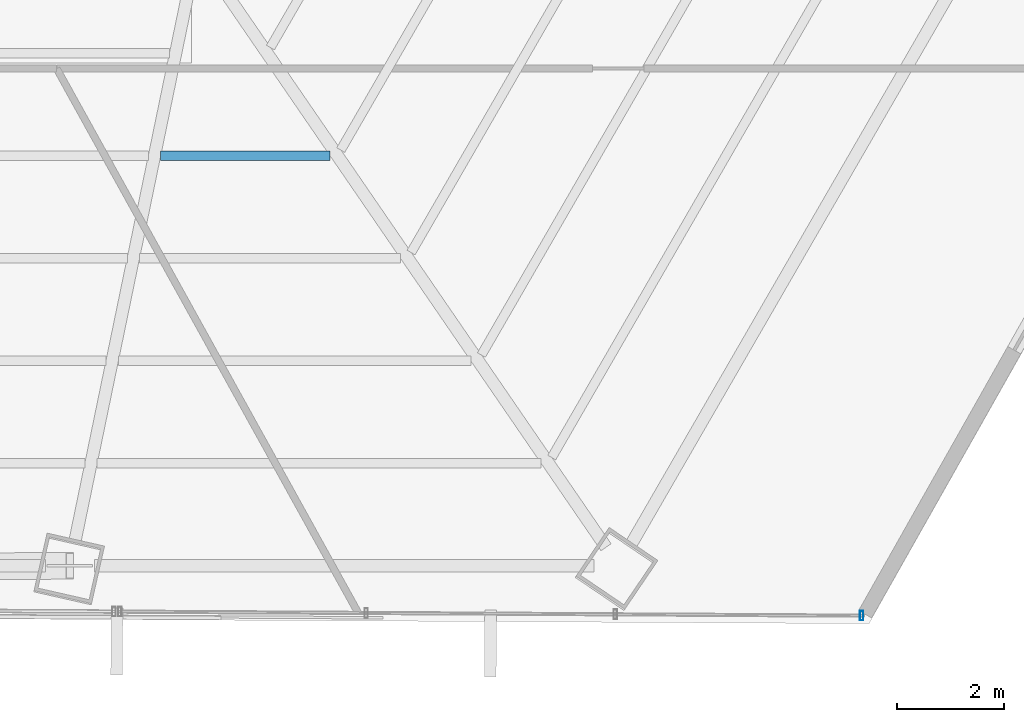
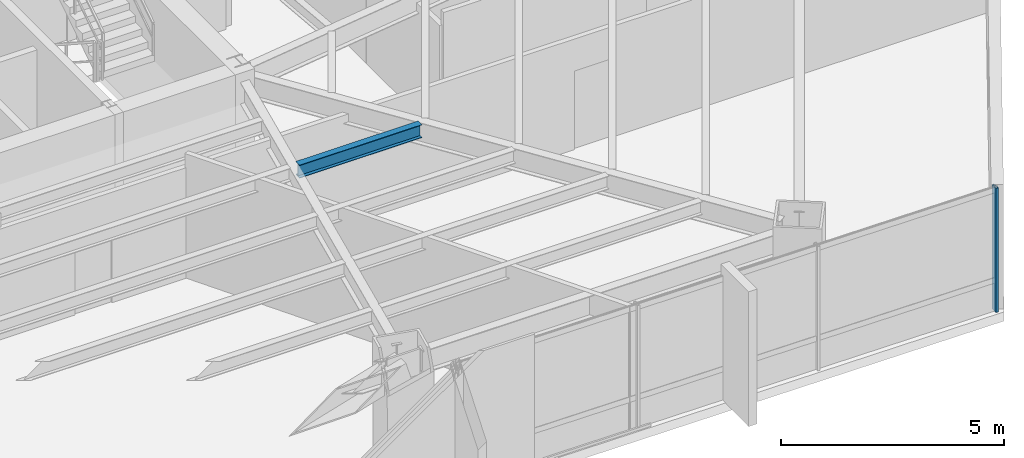
# One storey, part 17 of 36: 1 beam, 1 member, 1 element without a shape of its own.
"""IFC4 building model written with IfcOpenShell, lengths in metres."""

from ifc_helpers import new_model, si_unit, direction, frame, origin, origin_2d, place, context, subcontext, project, spatial, hollow_rectangle, i_section, extrude, source, transform, mapped, material, material_profile, profile_set, type_object, type_shapes, element, aggregate, save


model = new_model("IFC4")

# Units and contexts
model_context = context("Model", 3, precision=1e-05, world=origin(), true_north=direction((0.0, 1.0)))
body_context = subcontext(model_context, "Body", "Model", "MODEL_VIEW")
ifc_project = project(units=[si_unit("LENGTHUNIT", "METRE"), si_unit("AREAUNIT", "SQUARE_METRE"), si_unit("VOLUMEUNIT", "CUBIC_METRE"), si_unit("PLANEANGLEUNIT", "RADIAN"), si_unit("MASSUNIT", "GRAM", prefix="KILO")], contexts=[model_context])

# Site, building, storey
site_placement = place(None, origin())
site = spatial("IfcSite", under=ifc_project, at=site_placement, CompositionType="ELEMENT")
building_placement = place(site_placement, origin())
building = spatial("IfcBuilding", under=site, at=building_placement, Name="Caelisora Broadcast Tower", CompositionType="ELEMENT")
storey_placement = place(building_placement, frame((0.0, 0.0, 79.85009765625)))
storey = spatial("IfcBuildingStorey", under=building, at=storey_placement, Name="L20", CompositionType="ELEMENT", Elevation=79.85009765625)

# Beam
ifc_material_1 = material(Name="Steel Grade 350 (AS/NZS 3679.1)", Category="steel")
ifc_material_profile_1 = material_profile(ifc_material_1, i_section(OverallWidth=0.172119140625, OverallDepth=0.358642578125, WebThickness=0.008056640625, FlangeThickness=0.012939453125, at=origin_2d()), Name="Steel Grade 350 (AS/NZS 3679.1)")
ifc_profile_set_1 = profile_set([ifc_material_profile_1], Name="Steel Grade 350 (AS/NZS 3679.1)")
beam_type = type_object("IfcBeamType", Name="SB02", PredefinedType="JOIST", material=ifc_profile_set_1)
shared_shape_1 = source(origin(), body_context, "Body", "SweptSolid", [
    extrude(i_section(OverallWidth=0.172119140625, OverallDepth=0.358642578125, WebThickness=0.008056640625, FlangeThickness=0.012939453125, at=origin_2d()), origin(), (0.0, 0.0, 1.0), 3.170166015625),
])
type_shapes(beam_type, [shared_shape_1])
beam_placement = place(storey_placement, frame((44.822998046875, 13.569091796875, 3.220703125), z_axis=(1.0, 0.0, 0.0), x_axis=(0.0, 1.0, 0.0)))
element("IfcBeam", 1, at=beam_placement, inside=storey, type_object=beam_type, Name="L20 beam SB02", PredefinedType="JOIST", context=body_context, shape_type="MappedRepresentation", body=[
    mapped(shared_shape_1, transform((0.0, 0.0, 0.0), scale=1.0)),
])

# Curtain wall, member
ifc_material_2 = material(Name="Unitised Aluminium and Low-E Glass Curtain Wall", Category="glass")
curtain_wall_type = type_object("IfcCurtainWallType", Name="CW-Z2", PredefinedType="NOTDEFINED", material=ifc_material_2)
curtain_wall_placement = place(storey_placement, origin())
curtain_wall = element("IfcCurtainWall", 2, at=curtain_wall_placement, inside=storey, type_object=curtain_wall_type, Name="L20 curtain wall CW-Z2", PredefinedType="NOTDEFINED")
ifc_material_3 = material(Name="Aluminium 6063-T6 Anodised Terracotta Bronze", Category="aluminium")
ifc_material_profile_2 = material_profile(ifc_material_3, hollow_rectangle(XDim=0.06494140625, YDim=0.179931640625, WallThickness=0.00341796875, at=origin_2d()), Name="Aluminium 6063-T6 Anodised Terracotta Bronze")
ifc_profile_set_2 = profile_set([ifc_material_profile_2], Name="Aluminium 6063-T6 Anodised Terracotta Bronze")
member_type = type_object("IfcMemberType", Name="CWM-02", PredefinedType="MULLION", material=ifc_profile_set_2)
shared_shape_2 = source(origin(), body_context, "Body", "SweptSolid", [
    extrude(hollow_rectangle(XDim=0.06494140625, YDim=0.179931640625, WallThickness=0.00341796875, at=origin_2d()), origin(), (0.0, 0.0, 1.0), 3.39990234375),
])
type_shapes(member_type, [shared_shape_2])
member_placement = place(storey_placement, frame((57.925048828125, 4.974365234375, 0.0), z_axis=(0.0, 0.0, 1.0), x_axis=(1.0, 0.0, 0.0)))
member = element("IfcMember", 3, at=member_placement, type_object=member_type, Name="L20-CW-B05 mullion #0", PredefinedType="MULLION", context=body_context, shape_type="MappedRepresentation", body=[
    mapped(shared_shape_2, transform((0.0, 0.0, 0.0), scale=1.0)),
])
aggregate(curtain_wall, [member])

save(model, "model.ifc")
